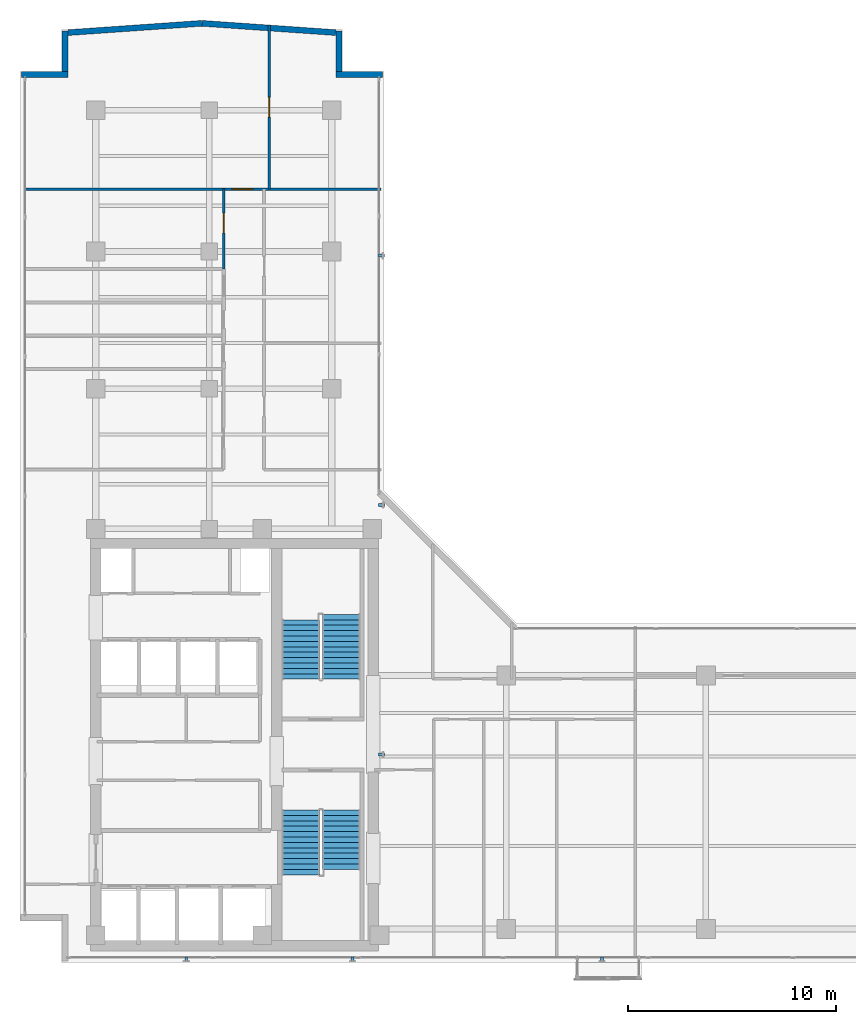
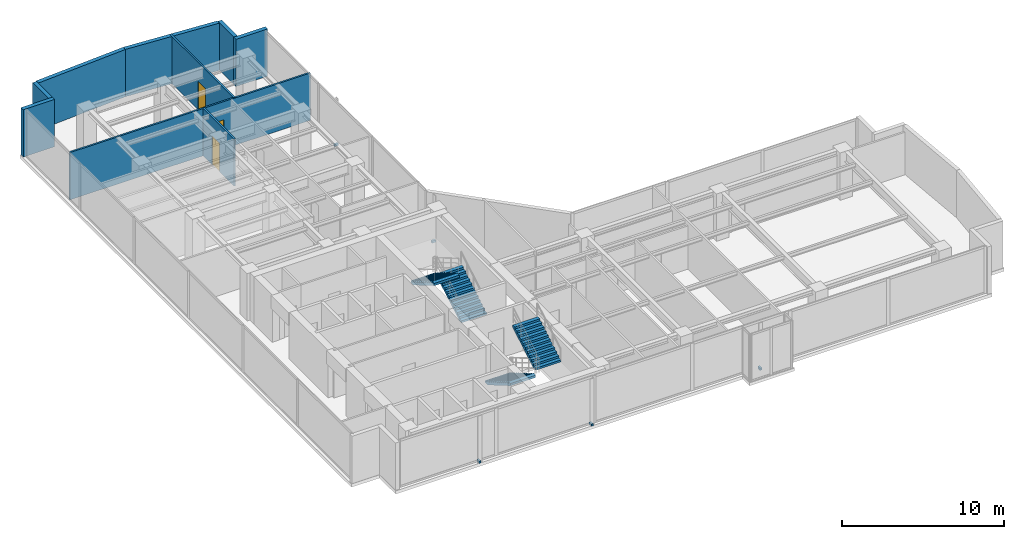
# One storey, part 19 of 23: 9 walls, 6 discrete accessories, 4 stair flights, 3 doors, 3 openings, 2 elements without a shape of their own.
"""IFC4 building model written with IfcOpenShell, lengths in metres."""

from ifc_helpers import new_model, si_unit, direction, frame, frame_2d, origin, origin_with_axes, origin_2d, place, context, subcontext, project, spatial, polyline, rectangle, outline, extrude, source, transform, mapped, material, layer, layer_set, type_object, element, fill, aggregate, save


model = new_model("IFC4")

# Units and contexts
model_context = context("Model", 3, precision=1e-05, world=origin(), true_north=direction((0.0, 1.0)))
body_context = subcontext(model_context, "Body", "Model", "MODEL_VIEW")
ifc_project = project(units=[si_unit("LENGTHUNIT", "METRE"), si_unit("AREAUNIT", "SQUARE_METRE"), si_unit("VOLUMEUNIT", "CUBIC_METRE"), si_unit("PLANEANGLEUNIT", "RADIAN"), si_unit("MASSUNIT", "GRAM", prefix="KILO")], contexts=[model_context])

# Site, building, storey
site_placement = place(None, origin())
site = spatial("IfcSite", under=ifc_project, at=site_placement, CompositionType="ELEMENT")
building_placement = place(site_placement, origin())
building = spatial("IfcBuilding", under=site, at=building_placement, Name="Kolvaren Waterfront Exchange", CompositionType="ELEMENT")
storey_placement = place(building_placement, frame((0.0, 0.0, 297.0)))
storey = spatial("IfcBuildingStorey", under=building, at=storey_placement, Name="L76", CompositionType="ELEMENT", Elevation=297.0)

# Walls
ifc_material_1 = material(Name="Precast concrete C40/50", Category="concrete")
ifc_layer_1 = layer(ifc_material_1, 0.280029296875, Name="Precast concrete C40/50")
ifc_layer_set_1 = layer_set([ifc_layer_1], Name="Precast concrete C40/50")
wall_type_1 = type_object("IfcWallType", Name="ARC-EXT-TERR-280", PredefinedType="SOLIDWALL", material=ifc_layer_set_1)
wall_1_placement = place(storey_placement, frame((19.00537109375, 46.308349609375, 0.0), z_axis=(0.0, 0.0, 1.0), x_axis=(1.0, 0.0, 0.0)))
element("IfcWall", 1, at=wall_1_placement, inside=storey, type_object=wall_type_1, Name="L76 notched corner spandrel pier NNE-A", PredefinedType="SOLIDWALL", context=body_context, shape_type="SweptSolid", body=[
    extrude(rectangle(XDim=2.239990234375, YDim=0.280029296875, at=frame_2d((1.1201171875, 0.0))), origin(), (0.0, 0.0, 1.0), 3.56005859375),
])
wall_2_placement = place(storey_placement, frame((19.145263671875, 46.448486328125, 0.0), z_axis=(0.0, 0.0, 1.0), x_axis=(0.0, 1.0, 0.0)))
element("IfcWall", 2, at=wall_2_placement, inside=storey, type_object=wall_type_1, Name="L76 notched corner spandrel pier NNE-B", PredefinedType="SOLIDWALL", context=body_context, shape_type="SweptSolid", body=[
    extrude(rectangle(XDim=1.9599609375, YDim=0.280029296875, at=frame_2d((0.97998046875, 0.0))), origin(), (0.0, 0.0, 1.0), 3.56005859375),
])
wall_3_placement = place(storey_placement, frame((3.860107421875, 46.308349609375, 0.0), z_axis=(0.0, 0.0, 1.0), x_axis=(1.0, 0.0, 0.0)))
element("IfcWall", 3, at=wall_3_placement, inside=storey, type_object=wall_type_1, Name="L76 notched corner spandrel pier NW-A", PredefinedType="SOLIDWALL", context=body_context, shape_type="SweptSolid", body=[
    extrude(rectangle(XDim=2.239990234375, YDim=0.280029296875, at=frame_2d((1.1201171875, 0.0))), origin(), (0.0, 0.0, 1.0), 3.56005859375),
])
wall_4_placement = place(storey_placement, frame((5.9599609375, 46.448486328125, 0.0), z_axis=(0.0, 0.0, 1.0), x_axis=(0.0, 1.0, 0.0)))
element("IfcWall", 4, at=wall_4_placement, inside=storey, type_object=wall_type_1, Name="L76 notched corner spandrel pier NW-B", PredefinedType="SOLIDWALL", context=body_context, shape_type="SweptSolid", body=[
    extrude(rectangle(XDim=1.9599609375, YDim=0.280029296875, at=frame_2d((0.97998046875, 0.0))), origin(), (0.0, 0.0, 1.0), 3.56005859375),
])
for number, where, z_axis, x_axis, name in (
    (5, (18.994873046875, 48.32958984375, 0.0), (0.0, 0.0, 1.0), (-0.997602469473, 0.069204861834, 0.0), "L76 north prow faceted facade wall 1"),
    (6, (12.543701171875, 48.77587890625, 0.0), (0.0, 0.0, 1.0), (-0.997602469473, -0.069204861834, 0.0), "L76 north prow faceted facade wall 2"),
):
    element("IfcWall", number, at=place(storey_placement, frame(where, z_axis=z_axis, x_axis=x_axis)), inside=storey, type_object=wall_type_1, Name=name, PredefinedType="SOLIDWALL", context=body_context, shape_type="SweptSolid", body=[
        extrude(rectangle(XDim=6.44873046875, YDim=0.280029296875, at=frame_2d((3.224365234375, 0.0))), origin(), (0.0, 0.0, 1.0), 3.56005859375),
    ])

# Wall, opening, door
ifc_material_2 = material(Name="Acoustic gypsum steel stud", Category="steel")
ifc_layer_2 = layer(ifc_material_2, 0.125, Name="Acoustic gypsum steel stud")
ifc_layer_set_2 = layer_set([ifc_layer_2], Name="Acoustic gypsum steel stud")
wall_type_2 = type_object("IfcWallType", Name="ARC-PART-125", PredefinedType="PARTITIONING", material=ifc_layer_set_2)
wall_5_placement = place(storey_placement, frame((13.60009765625, 36.949951171875, 0.0), z_axis=(0.0, 0.0, 1.0), x_axis=(0.0, 1.0, 0.0)))
wall_5 = element("IfcWall", 7, at=wall_5_placement, inside=storey, type_object=wall_type_2, Name="L76 interior wall PW-L76-NW-CORR", PredefinedType="PARTITIONING", context=body_context, shape_type="SweptSolid", body=[
    extrude(rectangle(XDim=3.85009765625, YDim=0.125, at=frame_2d((1.925048828125, 0.0))), origin(), (0.0, 0.0, 1.0), 3.56005859375),
])
opening_1_placement = place(wall_5_placement, frame((1.75, 0.0, 0.0)))
opening_1 = element("IfcOpeningElement", 8, at=opening_1_placement, cuts=wall_5, Name="Opening D02", PredefinedType="OPENING", context=body_context, shape_type="SweptSolid", body=[
    extrude(rectangle(XDim=0.949951171875, YDim=2.14990234375, at=frame_2d((0.47509765625, 1.074951171875))), frame((0.0, 0.072509765625, 0.0), z_axis=(0.0, -1.0, 0.0), x_axis=(1.0, 0.0, 0.0)), (0.0, 0.0, 1.0), 0.14501953125),
])
ifc_material_3 = material(Name="Oak veneer acoustic timber", Category="wood")
door_type_1 = type_object("IfcDoorType", Name="ARC-DR-950", OperationType="NOTDEFINED", PredefinedType="DOOR", material=ifc_material_3)
door_1_placement = place(opening_1_placement, origin())
door_1 = element("IfcDoor", 9, at=door_1_placement, inside=storey, type_object=door_type_1, Name="L76 door DR-L76-NW-D-1 (D02)", OperationType="SINGLE_SWING_LEFT", OverallHeight=2.14990234375, OverallWidth=0.949951171875, PredefinedType="DOOR", context=body_context, shape_type="SweptSolid", body=[
    extrude(rectangle(XDim=0.949951171875, YDim=2.14990234375, at=frame_2d((0.47509765625, 1.074951171875))), frame((0.0, 0.02490234375, 0.0), z_axis=(0.0, -1.0, 0.0), x_axis=(1.0, 0.0, 0.0)), (0.0, 0.0, 1.0), 0.050048828125),
])
fill(opening_1, door_1)

wall_6_placement = place(storey_placement, frame((4.0400390625, 40.800048828125, 0.0), z_axis=(0.0, 0.0, 1.0), x_axis=(1.0, 0.0, 0.0)))
wall_6 = element("IfcWall", 10, at=wall_6_placement, inside=storey, type_object=wall_type_2, Name="L76 interior wall PW-L76-NTIP-S", PredefinedType="PARTITIONING", context=body_context, shape_type="SweptSolid", body=[
    extrude(rectangle(XDim=17.119873046875, YDim=0.125, at=frame_2d((8.56005859375, 0.0))), origin(), (0.0, 0.0, 1.0), 3.56005859375),
])
opening_2_placement = place(wall_6_placement, frame((9.9599609375, 0.0, 0.0)))
opening_2 = element("IfcOpeningElement", 11, at=opening_2_placement, cuts=wall_6, Name="Opening D03", PredefinedType="OPENING", context=body_context, shape_type="SweptSolid", body=[
    extrude(rectangle(XDim=1.0, YDim=2.199951171875, at=frame_2d((0.5, 1.10009765625))), frame((0.0, 0.072509765625, 0.0), z_axis=(0.0, -1.0, 0.0), x_axis=(1.0, 0.0, 0.0)), (0.0, 0.0, 1.0), 0.14501953125),
])
ifc_material_4 = material(Name="Oak veneer accessible timber", Category="wood")
door_type_2 = type_object("IfcDoorType", Name="ARC-DR-1000", OperationType="NOTDEFINED", PredefinedType="DOOR", material=ifc_material_4)
door_2_placement = place(opening_2_placement, origin())
door_2 = element("IfcDoor", 12, at=door_2_placement, inside=storey, type_object=door_type_2, Name="L76 door DR-L76-NTIPW-D (D03)", OperationType="SINGLE_SWING_RIGHT", OverallHeight=2.199951171875, OverallWidth=1.0, PredefinedType="DOOR", context=body_context, shape_type="SweptSolid", body=[
    extrude(rectangle(XDim=1.0, YDim=2.199951171875, at=frame_2d((0.5, 1.10009765625))), frame((0.0, 0.02490234375, 0.0), z_axis=(0.0, -1.0, 0.0), x_axis=(1.0, 0.0, 0.0)), (0.0, 0.0, 1.0), 0.050048828125),
])
fill(opening_2, door_2)

wall_7_placement = place(storey_placement, frame((15.800048828125, 40.800048828125, 0.0), z_axis=(0.0, 0.0, 1.0), x_axis=(0.0, 1.0, 0.0)))
wall_7 = element("IfcWall", 13, at=wall_7_placement, inside=storey, type_object=wall_type_2, Name="L76 interior wall PW-L76-NTIP-DIV", PredefinedType="PARTITIONING", context=body_context, shape_type="SweptSolid", body=[
    extrude(rectangle(XDim=7.896728515625, YDim=0.125, at=frame_2d((3.9482421875, 0.0))), origin(), (0.0, 0.0, 1.0), 3.56005859375),
])
opening_3_placement = place(wall_7_placement, frame((3.468505859375, 0.0, 0.0)))
opening_3 = element("IfcOpeningElement", 14, at=opening_3_placement, cuts=wall_7, Name="Opening D02", PredefinedType="OPENING", context=body_context, shape_type="SweptSolid", body=[
    extrude(rectangle(XDim=0.949951171875, YDim=2.14990234375, at=frame_2d((0.47509765625, 1.074951171875))), frame((0.0, 0.072509765625, 0.0), z_axis=(0.0, -1.0, 0.0), x_axis=(1.0, 0.0, 0.0)), (0.0, 0.0, 1.0), 0.14501953125),
])
door_3_placement = place(opening_3_placement, origin())
door_3 = element("IfcDoor", 15, at=door_3_placement, inside=storey, type_object=door_type_1, Name="L76 door DR-L76-NTIPE-D (D02)", OperationType="SINGLE_SWING_LEFT", OverallHeight=2.14990234375, OverallWidth=0.949951171875, PredefinedType="DOOR", context=body_context, shape_type="SweptSolid", body=[
    extrude(rectangle(XDim=0.949951171875, YDim=2.14990234375, at=frame_2d((0.47509765625, 1.074951171875))), frame((0.0, 0.02490234375, 0.0), z_axis=(0.0, -1.0, 0.0), x_axis=(1.0, 0.0, 0.0)), (0.0, 0.0, 1.0), 0.050048828125),
])
fill(opening_3, door_3)

# Stair, stair flights
ifc_material_5 = material(Name="Concrete C40/50", Category="concrete")
stair_type = type_object("IfcStairType", Name="ARC-STAIR-3800", PredefinedType="HALF_TURN_STAIR", material=ifc_material_5)
stair_1_placement = place(storey_placement, origin())
stair_1 = element("IfcStair", 16, at=stair_1_placement, inside=storey, type_object=stair_type, Name="L76 Smoke-proof exit stair ST1", PredefinedType="HALF_TURN_STAIR")
stair_flight_type = type_object("IfcStairFlightType", Name="ARC-FLIGHT-3800", PredefinedType="STRAIGHT", material=ifc_material_5)
stair_flight_1_placement = place(storey_placement, frame((17.300048828125, 10.929931640625, 0.0), z_axis=(0.0, 0.0, 1.0), x_axis=(0.0, -1.0, 0.0)))
stair_flight_1 = element("IfcStairFlight", 17, at=stair_flight_1_placement, type_object=stair_flight_type, Name="ST1 flight 1", NumberOfRisers=13, NumberOfTreads=12, PredefinedType="STRAIGHT", RiserHeight=0.152, TreadLength=0.26, context=body_context, shape_type="SweptSolid", body=[
    extrude(outline(polyline([(0.0, 0.0), (0.0, 0.152099609375), (0.260009765625, 0.152099609375), (0.260009765625, 0.303955078125), (0.52001953125, 0.303955078125), (0.52001953125, 0.4560546875), (0.780029296875, 0.4560546875), (0.780029296875, 0.60791015625), (1.0400390625, 0.60791015625), (1.0400390625, 0.760009765625), (1.300048828125, 0.760009765625), (1.300048828125, 0.912109375), (1.56005859375, 0.912109375), (1.56005859375, 1.06396484375), (1.820068359375, 1.06396484375), (1.820068359375, 1.216064453125), (2.080078125, 1.216064453125), (2.080078125, 1.367919921875), (2.340087890625, 1.367919921875), (2.340087890625, 1.52001953125), (2.60009765625, 1.52001953125), (2.60009765625, 1.672119140625), (2.860107421875, 1.672119140625), (2.860107421875, 1.823974609375), (3.1201171875, 1.823974609375), (3.1201171875, 1.97607421875), (3.1201171875, 1.650390625), (0.297119140625, 0.0), (0.0, 0.0)])), frame((0.0, 0.89990234375, 0.0), z_axis=(0.0, -1.0, 0.0), x_axis=(1.0, 0.0, 0.0)), (0.0, 0.0, 1.0), 1.800048828125),
])
stair_flight_2_placement = place(storey_placement, frame((19.260009765625, 8.070068359375, 1.97607421875), z_axis=(0.0, 0.0, 1.0), x_axis=(0.0, 1.0, 0.0)))
stair_flight_2 = element("IfcStairFlight", 18, at=stair_flight_2_placement, type_object=stair_flight_type, Name="ST1 flight 2", NumberOfRisers=12, NumberOfTreads=11, PredefinedType="STRAIGHT", RiserHeight=0.152, TreadLength=0.26, context=body_context, shape_type="SweptSolid", body=[
    extrude(outline(polyline([(0.0, 0.0), (0.0, 0.152099609375), (0.260009765625, 0.152099609375), (0.260009765625, 0.303955078125), (0.52001953125, 0.303955078125), (0.52001953125, 0.4560546875), (0.780029296875, 0.4560546875), (0.780029296875, 0.60791015625), (1.0400390625, 0.60791015625), (1.0400390625, 0.760009765625), (1.300048828125, 0.760009765625), (1.300048828125, 0.912109375), (1.56005859375, 0.912109375), (1.56005859375, 1.06396484375), (1.820068359375, 1.06396484375), (1.820068359375, 1.216064453125), (2.080078125, 1.216064453125), (2.080078125, 1.367919921875), (2.340087890625, 1.367919921875), (2.340087890625, 1.52001953125), (2.60009765625, 1.52001953125), (2.60009765625, 1.672119140625), (2.860107421875, 1.672119140625), (2.860107421875, 1.823974609375), (2.860107421875, 1.498291015625), (0.297119140625, 0.0), (0.0, 0.0)])), frame((0.0, 0.89990234375, 0.0), z_axis=(0.0, -1.0, 0.0), x_axis=(1.0, 0.0, 0.0)), (0.0, 0.0, 1.0), 1.800048828125),
])
aggregate(stair_1, [stair_flight_1, stair_flight_2])

stair_2_placement = place(storey_placement, origin())
stair_2 = element("IfcStair", 19, at=stair_2_placement, inside=storey, type_object=stair_type, Name="L76 Smoke-proof exit stair ST2", PredefinedType="HALF_TURN_STAIR")
stair_flight_3_placement = place(storey_placement, frame((19.260009765625, 17.219970703125, 0.0), z_axis=(0.0, 0.0, 1.0), x_axis=(0.0, 1.0, 0.0)))
stair_flight_3 = element("IfcStairFlight", 20, at=stair_flight_3_placement, type_object=stair_flight_type, Name="ST2 flight 1", NumberOfRisers=13, NumberOfTreads=12, PredefinedType="STRAIGHT", RiserHeight=0.152, TreadLength=0.26, context=body_context, shape_type="SweptSolid", body=[
    extrude(outline(polyline([(0.0, 0.0), (0.0, 0.152099609375), (0.260009765625, 0.152099609375), (0.260009765625, 0.303955078125), (0.52001953125, 0.303955078125), (0.52001953125, 0.4560546875), (0.780029296875, 0.4560546875), (0.780029296875, 0.60791015625), (1.0400390625, 0.60791015625), (1.0400390625, 0.760009765625), (1.300048828125, 0.760009765625), (1.300048828125, 0.912109375), (1.56005859375, 0.912109375), (1.56005859375, 1.06396484375), (1.820068359375, 1.06396484375), (1.820068359375, 1.216064453125), (2.080078125, 1.216064453125), (2.080078125, 1.367919921875), (2.340087890625, 1.367919921875), (2.340087890625, 1.52001953125), (2.60009765625, 1.52001953125), (2.60009765625, 1.672119140625), (2.860107421875, 1.672119140625), (2.860107421875, 1.823974609375), (3.1201171875, 1.823974609375), (3.1201171875, 1.97607421875), (3.1201171875, 1.650390625), (0.297119140625, 0.0), (0.0, 0.0)])), frame((0.0, 0.89990234375, 0.0), z_axis=(0.0, -1.0, 0.0), x_axis=(1.0, 0.0, 0.0)), (0.0, 0.0, 1.0), 1.800048828125),
])
stair_flight_4_placement = place(storey_placement, frame((17.300048828125, 20.080078125, 1.97607421875), z_axis=(0.0, 0.0, 1.0), x_axis=(0.0, -1.0, 0.0)))
stair_flight_4 = element("IfcStairFlight", 21, at=stair_flight_4_placement, type_object=stair_flight_type, Name="ST2 flight 2", NumberOfRisers=12, NumberOfTreads=11, PredefinedType="STRAIGHT", RiserHeight=0.152, TreadLength=0.26, context=body_context, shape_type="SweptSolid", body=[
    extrude(outline(polyline([(0.0, 0.0), (0.0, 0.152099609375), (0.260009765625, 0.152099609375), (0.260009765625, 0.303955078125), (0.52001953125, 0.303955078125), (0.52001953125, 0.4560546875), (0.780029296875, 0.4560546875), (0.780029296875, 0.60791015625), (1.0400390625, 0.60791015625), (1.0400390625, 0.760009765625), (1.300048828125, 0.760009765625), (1.300048828125, 0.912109375), (1.56005859375, 0.912109375), (1.56005859375, 1.06396484375), (1.820068359375, 1.06396484375), (1.820068359375, 1.216064453125), (2.080078125, 1.216064453125), (2.080078125, 1.367919921875), (2.340087890625, 1.367919921875), (2.340087890625, 1.52001953125), (2.60009765625, 1.52001953125), (2.60009765625, 1.672119140625), (2.860107421875, 1.672119140625), (2.860107421875, 1.823974609375), (2.860107421875, 1.498291015625), (0.297119140625, 0.0), (0.0, 0.0)])), frame((0.0, 0.89990234375, 0.0), z_axis=(0.0, -1.0, 0.0), x_axis=(1.0, 0.0, 0.0)), (0.0, 0.0, 1.0), 1.800048828125),
])
aggregate(stair_2, [stair_flight_3, stair_flight_4])

# Discrete accessories
ifc_material_6 = material(Name="Stainless steel 316", Category="steel")
discrete_accessory_type = type_object("IfcDiscreteAccessoryType", Name="ARC-BRK-FIN", PredefinedType="BRACKET", material=ifc_material_6)
shared_shape = source(origin_with_axes(), body_context, "Body", "SweptSolid", [
    extrude(rectangle(XDim=0.280029296875, YDim=0.139892578125, at=origin_2d()), origin(), (0.0, 0.0, 1.0), 0.159912109375),
])
for number, where, z_axis, x_axis, name in (
    (22, (11.800048828125, 3.719970703125, 0.0), (0.0, 0.0, 1.0), (0.0, -1.0, 0.0), "L76 bronze fin anchor bracket FIN-L76-S1"),
    (23, (19.800048828125, 3.719970703125, 0.0), (0.0, 0.0, 1.0), (0.0, -1.0, 0.0), "L76 bronze fin anchor bracket FIN-L76-S2"),
    (24, (31.800048828125, 3.719970703125, 0.0), (0.0, 0.0, 1.0), (0.0, -1.0, 0.0), "L76 bronze fin anchor bracket FIN-L76-S3"),
    (25, (21.185302734375, 13.60009765625, 0.0), (0.0, 0.0, 1.0), (1.0, 0.0, 0.0), "L76 bronze fin anchor bracket FIN-L76-E1"),
    (26, (21.185302734375, 25.60009765625, 0.0), (0.0, 0.0, 1.0), (1.0, 0.0, 0.0), "L76 bronze fin anchor bracket FIN-L76-E2"),
    (27, (21.185302734375, 37.60009765625, 0.0), (0.0, 0.0, 1.0), (1.0, 0.0, 0.0), "L76 bronze fin anchor bracket FIN-L76-E3"),
):
    element("IfcDiscreteAccessory", number, at=place(storey_placement, frame(where, z_axis=z_axis, x_axis=x_axis)), inside=storey, type_object=discrete_accessory_type, Name=name, PredefinedType="BRACKET", context=body_context, shape_type="MappedRepresentation", body=[
        mapped(shared_shape, transform((0.0, 0.0, 0.0), x_axis=(1.0, 0.0, 0.0), y_axis=(0.0, 1.0, 0.0), z_axis=(0.0, 0.0, 1.0), scale=1.0)),
    ])

save(model, "model.ifc")
